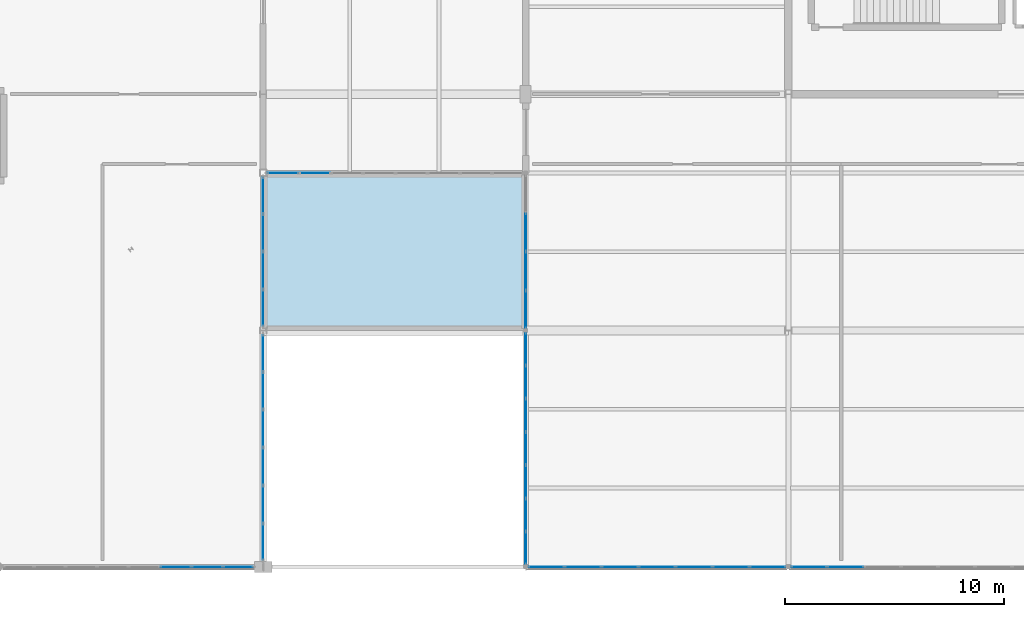
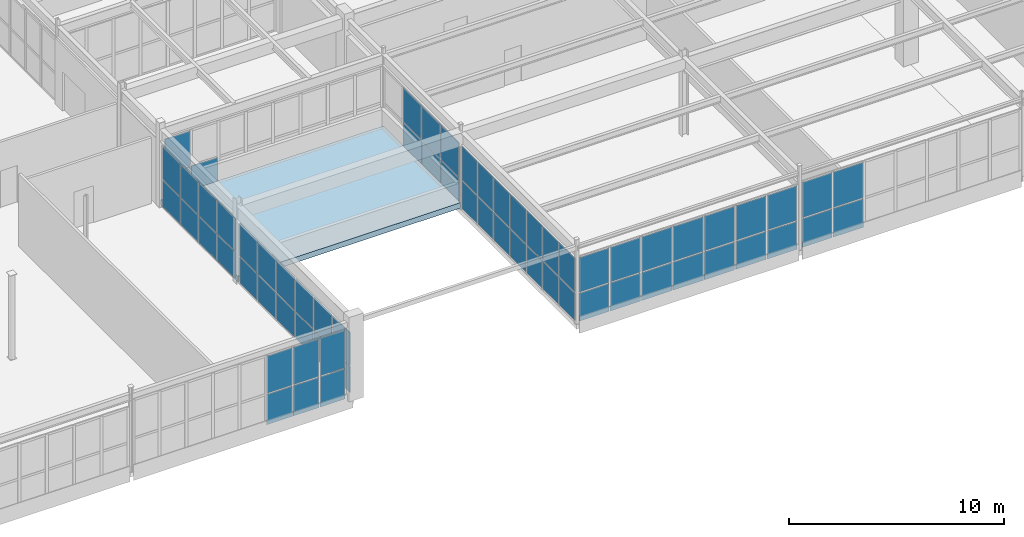
# One storey, part 143 of 226: 67 plates, 1 slab, 8 elements without a shape of their own.
"""IFC4 building model written with IfcOpenShell, lengths in metres."""

from ifc_helpers import new_model, si_unit, direction, frame, origin, origin_2d, place, context, subcontext, project, spatial, polyline, rectangle, outline, extrude, material, layer, layer_set, type_object, element, aggregate, save


model = new_model("IFC4")

# Units and contexts
model_context = context("Model", 3, precision=1e-05, world=origin(), true_north=direction((0.0, 1.0)))
body_context = subcontext(model_context, "Body", "Model", "MODEL_VIEW")
ifc_project = project(units=[si_unit("LENGTHUNIT", "METRE"), si_unit("AREAUNIT", "SQUARE_METRE"), si_unit("VOLUMEUNIT", "CUBIC_METRE"), si_unit("PLANEANGLEUNIT", "RADIAN"), si_unit("MASSUNIT", "GRAM", prefix="KILO")], contexts=[model_context])

# Site, building, storey
site_placement = place(None, origin())
site = spatial("IfcSite", under=ifc_project, at=site_placement, CompositionType="ELEMENT")
building_placement = place(site_placement, origin())
building = spatial("IfcBuilding", under=site, at=building_placement, Name="Tarnwether General Hospital", CompositionType="ELEMENT")
storey_placement = place(building_placement, frame((0.0, 0.0, 4.800048828125)))
storey = spatial("IfcBuildingStorey", under=building, at=storey_placement, Name="L01", CompositionType="ELEMENT", Elevation=4.800048828125)

# Curtain wall, plates
ifc_material_1 = material(Name="Anodised aluminium", Category="aluminium")
ifc_layer_1 = layer(ifc_material_1, 0.159912109375)
ifc_layer_set_1 = layer_set([ifc_layer_1], Name="Anodised aluminium")
curtain_wall_type_1 = type_object("IfcCurtainWallType", Name="CW-13", PredefinedType="NOTDEFINED", material=ifc_layer_set_1)
curtain_wall_1_placement = place(storey_placement, origin())
curtain_wall_1 = element("IfcCurtainWall", 1, at=curtain_wall_1_placement, inside=storey, type_object=curtain_wall_type_1, Name="Curtain Wall CWG-L01-1316_0-0329", PredefinedType="NOTDEFINED")
ifc_material_2 = material(Name="Double glazed low-E glass", Category="glass")
ifc_layer_2 = layer(ifc_material_2, 0.028076171875)
ifc_layer_set_2 = layer_set([ifc_layer_2], Name="Double glazed low-E glass")
plate_type = type_object("IfcPlateType", Name="PT-CWP1", PredefinedType="CURTAIN_PANEL", material=ifc_layer_set_2)
plate_1_placement = place(storey_placement, frame((130.859130859375, 0.0, 0.059814453125), z_axis=(0.0, 0.0, 1.0), x_axis=(-1.0, 0.0, 0.0)))
plate_1 = element("IfcPlate", 2, at=plate_1_placement, type_object=plate_type, Name="CW-13 panel 1.1", PredefinedType="CURTAIN_PANEL", context=body_context, shape_type="SweptSolid", body=[
    extrude(rectangle(XDim=1.345947265625, YDim=0.028076171875, at=origin_2d()), origin(), (0.0, 0.0, 1.0), 1.72216796875),
])
plate_2_placement = place(storey_placement, frame((130.859130859375, 0.0, 1.842041015625), z_axis=(0.0, 0.0, 1.0), x_axis=(-1.0, 0.0, 0.0)))
plate_2 = element("IfcPlate", 3, at=plate_2_placement, type_object=plate_type, Name="CW-13 panel 1.2", PredefinedType="CURTAIN_PANEL", context=body_context, shape_type="SweptSolid", body=[
    extrude(rectangle(XDim=1.345947265625, YDim=0.028076171875, at=origin_2d()), origin(), (0.0, 0.0, 1.0), 2.125),
])
plate_3_placement = place(storey_placement, frame((129.438232421875, 0.0, 0.059814453125), z_axis=(0.0, 0.0, 1.0), x_axis=(-1.0, 0.0, 0.0)))
plate_3 = element("IfcPlate", 4, at=plate_3_placement, type_object=plate_type, Name="CW-13 panel 2.1", PredefinedType="CURTAIN_PANEL", context=body_context, shape_type="SweptSolid", body=[
    extrude(rectangle(XDim=1.3759765625, YDim=0.028076171875, at=origin_2d()), origin(), (0.0, 0.0, 1.0), 1.72216796875),
])
plate_4_placement = place(storey_placement, frame((129.438232421875, 0.0, 1.842041015625), z_axis=(0.0, 0.0, 1.0), x_axis=(-1.0, 0.0, 0.0)))
plate_4 = element("IfcPlate", 5, at=plate_4_placement, type_object=plate_type, Name="CW-13 panel 2.2", PredefinedType="CURTAIN_PANEL", context=body_context, shape_type="SweptSolid", body=[
    extrude(rectangle(XDim=1.3759765625, YDim=0.028076171875, at=origin_2d()), origin(), (0.0, 0.0, 1.0), 2.125),
])
plate_5_placement = place(storey_placement, frame((128.002197265625, 0.0, 0.059814453125), z_axis=(0.0, 0.0, 1.0), x_axis=(-1.0, 0.0, 0.0)))
plate_5 = element("IfcPlate", 6, at=plate_5_placement, type_object=plate_type, Name="CW-13 panel 3.1", PredefinedType="CURTAIN_PANEL", context=body_context, shape_type="SweptSolid", body=[
    extrude(rectangle(XDim=1.3759765625, YDim=0.028076171875, at=origin_2d()), origin(), (0.0, 0.0, 1.0), 1.72216796875),
])
plate_6_placement = place(storey_placement, frame((128.002197265625, 0.0, 1.842041015625), z_axis=(0.0, 0.0, 1.0), x_axis=(-1.0, 0.0, 0.0)))
plate_6 = element("IfcPlate", 7, at=plate_6_placement, type_object=plate_type, Name="CW-13 panel 3.2", PredefinedType="CURTAIN_PANEL", context=body_context, shape_type="SweptSolid", body=[
    extrude(rectangle(XDim=1.3759765625, YDim=0.028076171875, at=origin_2d()), origin(), (0.0, 0.0, 1.0), 2.125),
])
aggregate(curtain_wall_1, [plate_1, plate_2, plate_3, plate_4, plate_5, plate_6])

ifc_material_3 = material(Name="Anodised aluminium", Category="aluminium")
ifc_layer_3 = layer(ifc_material_3, 0.159912109375)
ifc_layer_set_3 = layer_set([ifc_layer_3], Name="Anodised aluminium")
curtain_wall_type_2 = type_object("IfcCurtainWallType", Name="CW-15", PredefinedType="NOTDEFINED", material=ifc_layer_set_3)
curtain_wall_2_placement = place(storey_placement, origin())
curtain_wall_2 = element("IfcCurtainWall", 8, at=curtain_wall_2_placement, inside=storey, type_object=curtain_wall_type_2, Name="Curtain Wall CWG-L01-1320_178-0361", PredefinedType="NOTDEFINED")
plate_7_placement = place(storey_placement, frame((132.0, 16.967041015625, 0.059814453125), z_axis=(0.0, 0.0, 1.0), x_axis=(0.0, -1.0, 0.0)))
plate_7 = element("IfcPlate", 9, at=plate_7_placement, type_object=plate_type, Name="CW-15 panel 1.1", PredefinedType="CURTAIN_PANEL", context=body_context, shape_type="SweptSolid", body=[
    extrude(rectangle(XDim=1.6298828125, YDim=0.028076171875, at=origin_2d()), origin(), (0.0, 0.0, 1.0), 1.49853515625),
])
plate_8_placement = place(storey_placement, frame((132.0, 16.967041015625, 1.618408203125), z_axis=(0.0, 0.0, 1.0), x_axis=(0.0, -1.0, 0.0)))
plate_8 = element("IfcPlate", 10, at=plate_8_placement, type_object=plate_type, Name="CW-15 panel 1.2", PredefinedType="CURTAIN_PANEL", context=body_context, shape_type="SweptSolid", body=[
    extrude(rectangle(XDim=1.6298828125, YDim=0.028076171875, at=origin_2d()), origin(), (0.0, 0.0, 1.0), 1.8515625),
])
plate_9_placement = place(storey_placement, frame((132.0, 15.261962890625, 0.059814453125), z_axis=(0.0, 0.0, 1.0), x_axis=(0.0, -1.0, 0.0)))
plate_9 = element("IfcPlate", 11, at=plate_9_placement, type_object=plate_type, Name="CW-15 panel 2.1", PredefinedType="CURTAIN_PANEL", context=body_context, shape_type="SweptSolid", body=[
    extrude(rectangle(XDim=1.659912109375, YDim=0.028076171875, at=origin_2d()), origin(), (0.0, 0.0, 1.0), 1.49853515625),
])
plate_10_placement = place(storey_placement, frame((132.0, 15.261962890625, 1.618408203125), z_axis=(0.0, 0.0, 1.0), x_axis=(0.0, -1.0, 0.0)))
plate_10 = element("IfcPlate", 12, at=plate_10_placement, type_object=plate_type, Name="CW-15 panel 2.2", PredefinedType="CURTAIN_PANEL", context=body_context, shape_type="SweptSolid", body=[
    extrude(rectangle(XDim=1.659912109375, YDim=0.028076171875, at=origin_2d()), origin(), (0.0, 0.0, 1.0), 1.8515625),
])
plate_11_placement = place(storey_placement, frame((132.0, 13.5419921875, 0.059814453125), z_axis=(0.0, 0.0, 1.0), x_axis=(0.0, -1.0, 0.0)))
plate_11 = element("IfcPlate", 13, at=plate_11_placement, type_object=plate_type, Name="CW-15 panel 3.1", PredefinedType="CURTAIN_PANEL", context=body_context, shape_type="SweptSolid", body=[
    extrude(rectangle(XDim=1.659912109375, YDim=0.028076171875, at=origin_2d()), origin(), (0.0, 0.0, 1.0), 1.49853515625),
])
plate_12_placement = place(storey_placement, frame((132.0, 13.5419921875, 1.618408203125), z_axis=(0.0, 0.0, 1.0), x_axis=(0.0, -1.0, 0.0)))
plate_12 = element("IfcPlate", 14, at=plate_12_placement, type_object=plate_type, Name="CW-15 panel 3.2", PredefinedType="CURTAIN_PANEL", context=body_context, shape_type="SweptSolid", body=[
    extrude(rectangle(XDim=1.659912109375, YDim=0.028076171875, at=origin_2d()), origin(), (0.0, 0.0, 1.0), 1.8515625),
])
plate_13_placement = place(storey_placement, frame((132.0, 11.8369140625, 0.059814453125), z_axis=(0.0, 0.0, 1.0), x_axis=(0.0, -1.0, 0.0)))
plate_13 = element("IfcPlate", 15, at=plate_13_placement, type_object=plate_type, Name="CW-15 panel 4.1", PredefinedType="CURTAIN_PANEL", context=body_context, shape_type="SweptSolid", body=[
    extrude(rectangle(XDim=1.6298828125, YDim=0.028076171875, at=origin_2d()), origin(), (0.0, 0.0, 1.0), 1.49853515625),
])
plate_14_placement = place(storey_placement, frame((132.0, 11.8369140625, 1.618408203125), z_axis=(0.0, 0.0, 1.0), x_axis=(0.0, -1.0, 0.0)))
plate_14 = element("IfcPlate", 16, at=plate_14_placement, type_object=plate_type, Name="CW-15 panel 4.2", PredefinedType="CURTAIN_PANEL", context=body_context, shape_type="SweptSolid", body=[
    extrude(rectangle(XDim=1.6298828125, YDim=0.028076171875, at=origin_2d()), origin(), (0.0, 0.0, 1.0), 1.8515625),
])
aggregate(curtain_wall_2, [plate_7, plate_8, plate_9, plate_10, plate_11, plate_12, plate_13, plate_14])

curtain_wall_3_placement = place(storey_placement, origin())
curtain_wall_3 = element("IfcCurtainWall", 17, at=curtain_wall_3_placement, inside=storey, type_object=curtain_wall_type_2, Name="Curtain Wall CWG-L01-1320_106-0362", PredefinedType="NOTDEFINED")
plate_15_placement = place(storey_placement, frame((132.0, 9.759033203125, 0.059814453125), z_axis=(0.0, 0.0, 1.0), x_axis=(0.0, -1.0, 0.0)))
plate_15 = element("IfcPlate", 18, at=plate_15_placement, type_object=plate_type, Name="CW-15 panel 1.1", PredefinedType="CURTAIN_PANEL", context=body_context, shape_type="SweptSolid", body=[
    extrude(rectangle(XDim=1.64013671875, YDim=0.028076171875, at=origin_2d()), origin(), (0.0, 0.0, 1.0), 1.49853515625),
])
plate_16_placement = place(storey_placement, frame((132.0, 9.759033203125, 1.618408203125), z_axis=(0.0, 0.0, 1.0), x_axis=(0.0, -1.0, 0.0)))
plate_16 = element("IfcPlate", 19, at=plate_16_placement, type_object=plate_type, Name="CW-15 panel 1.2", PredefinedType="CURTAIN_PANEL", context=body_context, shape_type="SweptSolid", body=[
    extrude(rectangle(XDim=1.64013671875, YDim=0.028076171875, at=origin_2d()), origin(), (0.0, 0.0, 1.0), 1.8515625),
])
plate_17_placement = place(storey_placement, frame((132.0, 8.043701171875, 0.059814453125), z_axis=(0.0, 0.0, 1.0), x_axis=(0.0, -1.0, 0.0)))
plate_17 = element("IfcPlate", 20, at=plate_17_placement, type_object=plate_type, Name="CW-15 panel 2.1", PredefinedType="CURTAIN_PANEL", context=body_context, shape_type="SweptSolid", body=[
    extrude(rectangle(XDim=1.670166015625, YDim=0.028076171875, at=origin_2d()), origin(), (0.0, 0.0, 1.0), 1.49853515625),
])
plate_18_placement = place(storey_placement, frame((132.0, 8.043701171875, 1.618408203125), z_axis=(0.0, 0.0, 1.0), x_axis=(0.0, -1.0, 0.0)))
plate_18 = element("IfcPlate", 21, at=plate_18_placement, type_object=plate_type, Name="CW-15 panel 2.2", PredefinedType="CURTAIN_PANEL", context=body_context, shape_type="SweptSolid", body=[
    extrude(rectangle(XDim=1.670166015625, YDim=0.028076171875, at=origin_2d()), origin(), (0.0, 0.0, 1.0), 1.8515625),
])
plate_19_placement = place(storey_placement, frame((132.0, 6.3134765625, 0.059814453125), z_axis=(0.0, 0.0, 1.0), x_axis=(0.0, -1.0, 0.0)))
plate_19 = element("IfcPlate", 22, at=plate_19_placement, type_object=plate_type, Name="CW-15 panel 3.1", PredefinedType="CURTAIN_PANEL", context=body_context, shape_type="SweptSolid", body=[
    extrude(rectangle(XDim=1.670166015625, YDim=0.028076171875, at=origin_2d()), origin(), (0.0, 0.0, 1.0), 1.49853515625),
])
plate_20_placement = place(storey_placement, frame((132.0, 6.3134765625, 1.618408203125), z_axis=(0.0, 0.0, 1.0), x_axis=(0.0, -1.0, 0.0)))
plate_20 = element("IfcPlate", 23, at=plate_20_placement, type_object=plate_type, Name="CW-15 panel 3.2", PredefinedType="CURTAIN_PANEL", context=body_context, shape_type="SweptSolid", body=[
    extrude(rectangle(XDim=1.670166015625, YDim=0.028076171875, at=origin_2d()), origin(), (0.0, 0.0, 1.0), 1.8515625),
])
plate_21_placement = place(storey_placement, frame((132.0, 4.58349609375, 0.059814453125), z_axis=(0.0, 0.0, 1.0), x_axis=(0.0, -1.0, 0.0)))
plate_21 = element("IfcPlate", 24, at=plate_21_placement, type_object=plate_type, Name="CW-15 panel 4.1", PredefinedType="CURTAIN_PANEL", context=body_context, shape_type="SweptSolid", body=[
    extrude(rectangle(XDim=1.670166015625, YDim=0.028076171875, at=origin_2d()), origin(), (0.0, 0.0, 1.0), 1.49853515625),
])
plate_22_placement = place(storey_placement, frame((132.0, 4.58349609375, 1.618408203125), z_axis=(0.0, 0.0, 1.0), x_axis=(0.0, -1.0, 0.0)))
plate_22 = element("IfcPlate", 25, at=plate_22_placement, type_object=plate_type, Name="CW-15 panel 4.2", PredefinedType="CURTAIN_PANEL", context=body_context, shape_type="SweptSolid", body=[
    extrude(rectangle(XDim=1.670166015625, YDim=0.028076171875, at=origin_2d()), origin(), (0.0, 0.0, 1.0), 1.8515625),
])
plate_23_placement = place(storey_placement, frame((132.0, 2.853271484375, 0.059814453125), z_axis=(0.0, 0.0, 1.0), x_axis=(0.0, -1.0, 0.0)))
plate_23 = element("IfcPlate", 26, at=plate_23_placement, type_object=plate_type, Name="CW-15 panel 5.1", PredefinedType="CURTAIN_PANEL", context=body_context, shape_type="SweptSolid", body=[
    extrude(rectangle(XDim=1.670166015625, YDim=0.028076171875, at=origin_2d()), origin(), (0.0, 0.0, 1.0), 1.49853515625),
])
plate_24_placement = place(storey_placement, frame((132.0, 2.853271484375, 1.618408203125), z_axis=(0.0, 0.0, 1.0), x_axis=(0.0, -1.0, 0.0)))
plate_24 = element("IfcPlate", 27, at=plate_24_placement, type_object=plate_type, Name="CW-15 panel 5.2", PredefinedType="CURTAIN_PANEL", context=body_context, shape_type="SweptSolid", body=[
    extrude(rectangle(XDim=1.670166015625, YDim=0.028076171875, at=origin_2d()), origin(), (0.0, 0.0, 1.0), 1.8515625),
])
plate_25_placement = place(storey_placement, frame((132.0, 1.13818359375, 0.059814453125), z_axis=(0.0, 0.0, 1.0), x_axis=(0.0, -1.0, 0.0)))
plate_25 = element("IfcPlate", 28, at=plate_25_placement, type_object=plate_type, Name="CW-15 panel 6.1", PredefinedType="CURTAIN_PANEL", context=body_context, shape_type="SweptSolid", body=[
    extrude(rectangle(XDim=1.64013671875, YDim=0.028076171875, at=origin_2d()), origin(), (0.0, 0.0, 1.0), 1.49853515625),
])
plate_26_placement = place(storey_placement, frame((132.0, 1.13818359375, 1.618408203125), z_axis=(0.0, 0.0, 1.0), x_axis=(0.0, -1.0, 0.0)))
plate_26 = element("IfcPlate", 29, at=plate_26_placement, type_object=plate_type, Name="CW-15 panel 6.2", PredefinedType="CURTAIN_PANEL", context=body_context, shape_type="SweptSolid", body=[
    extrude(rectangle(XDim=1.64013671875, YDim=0.028076171875, at=origin_2d()), origin(), (0.0, 0.0, 1.0), 1.8515625),
])
aggregate(curtain_wall_3, [plate_15, plate_16, plate_17, plate_18, plate_19, plate_20, plate_21, plate_22, plate_23, plate_24, plate_25, plate_26])

curtain_wall_4_placement = place(storey_placement, origin())
curtain_wall_4 = element("IfcCurtainWall", 30, at=curtain_wall_4_placement, inside=storey, type_object=curtain_wall_type_2, Name="Curtain Wall CWG-L01-1440_1-0363", PredefinedType="NOTDEFINED")
plate_27_placement = place(storey_placement, frame((144.0, 0.8583984375, 0.06005859375), z_axis=(0.0, 0.0, 1.0), x_axis=(0.0, 1.0, 0.0)))
plate_27 = element("IfcPlate", 31, at=plate_27_placement, type_object=plate_type, Name="CW-15 panel 1.1", PredefinedType="CURTAIN_PANEL", context=body_context, shape_type="SweptSolid", body=[
    extrude(rectangle(XDim=1.430908203125, YDim=0.028076171875, at=origin_2d()), origin(), (0.0, 0.0, 1.0), 1.56591796875),
])
plate_28_placement = place(storey_placement, frame((144.0, 0.8583984375, 1.685791015625), z_axis=(0.0, 0.0, 1.0), x_axis=(0.0, 1.0, 0.0)))
plate_28 = element("IfcPlate", 32, at=plate_28_placement, type_object=plate_type, Name="CW-15 panel 1.2", PredefinedType="CURTAIN_PANEL", context=body_context, shape_type="SweptSolid", body=[
    extrude(rectangle(XDim=1.430908203125, YDim=0.028076171875, at=origin_2d()), origin(), (0.0, 0.0, 1.0), 1.93408203125),
])
plate_29_placement = place(storey_placement, frame((144.0, 2.364501953125, 0.06005859375), z_axis=(0.0, 0.0, 1.0), x_axis=(0.0, 1.0, 0.0)))
plate_29 = element("IfcPlate", 33, at=plate_29_placement, type_object=plate_type, Name="CW-15 panel 2.1", PredefinedType="CURTAIN_PANEL", context=body_context, shape_type="SweptSolid", body=[
    extrude(rectangle(XDim=1.4609375, YDim=0.028076171875, at=origin_2d()), origin(), (0.0, 0.0, 1.0), 1.56591796875),
])
plate_30_placement = place(storey_placement, frame((144.0, 2.364501953125, 1.685791015625), z_axis=(0.0, 0.0, 1.0), x_axis=(0.0, 1.0, 0.0)))
plate_30 = element("IfcPlate", 34, at=plate_30_placement, type_object=plate_type, Name="CW-15 panel 2.2", PredefinedType="CURTAIN_PANEL", context=body_context, shape_type="SweptSolid", body=[
    extrude(rectangle(XDim=1.4609375, YDim=0.028076171875, at=origin_2d()), origin(), (0.0, 0.0, 1.0), 1.93408203125),
])
plate_31_placement = place(storey_placement, frame((144.0, 3.885498046875, 0.06005859375), z_axis=(0.0, 0.0, 1.0), x_axis=(0.0, 1.0, 0.0)))
plate_31 = element("IfcPlate", 35, at=plate_31_placement, type_object=plate_type, Name="CW-15 panel 3.1", PredefinedType="CURTAIN_PANEL", context=body_context, shape_type="SweptSolid", body=[
    extrude(rectangle(XDim=1.4609375, YDim=0.028076171875, at=origin_2d()), origin(), (0.0, 0.0, 1.0), 1.56591796875),
])
plate_32_placement = place(storey_placement, frame((144.0, 3.885498046875, 1.685791015625), z_axis=(0.0, 0.0, 1.0), x_axis=(0.0, 1.0, 0.0)))
plate_32 = element("IfcPlate", 36, at=plate_32_placement, type_object=plate_type, Name="CW-15 panel 3.2", PredefinedType="CURTAIN_PANEL", context=body_context, shape_type="SweptSolid", body=[
    extrude(rectangle(XDim=1.4609375, YDim=0.028076171875, at=origin_2d()), origin(), (0.0, 0.0, 1.0), 1.93408203125),
])
plate_33_placement = place(storey_placement, frame((144.0, 5.406494140625, 0.06005859375), z_axis=(0.0, 0.0, 1.0), x_axis=(0.0, 1.0, 0.0)))
plate_33 = element("IfcPlate", 37, at=plate_33_placement, type_object=plate_type, Name="CW-15 panel 4.1", PredefinedType="CURTAIN_PANEL", context=body_context, shape_type="SweptSolid", body=[
    extrude(rectangle(XDim=1.4609375, YDim=0.028076171875, at=origin_2d()), origin(), (0.0, 0.0, 1.0), 1.56591796875),
])
plate_34_placement = place(storey_placement, frame((144.0, 5.406494140625, 1.685791015625), z_axis=(0.0, 0.0, 1.0), x_axis=(0.0, 1.0, 0.0)))
plate_34 = element("IfcPlate", 38, at=plate_34_placement, type_object=plate_type, Name="CW-15 panel 4.2", PredefinedType="CURTAIN_PANEL", context=body_context, shape_type="SweptSolid", body=[
    extrude(rectangle(XDim=1.4609375, YDim=0.028076171875, at=origin_2d()), origin(), (0.0, 0.0, 1.0), 1.93408203125),
])
plate_35_placement = place(storey_placement, frame((144.0, 6.927490234375, 0.06005859375), z_axis=(0.0, 0.0, 1.0), x_axis=(0.0, 1.0, 0.0)))
plate_35 = element("IfcPlate", 39, at=plate_35_placement, type_object=plate_type, Name="CW-15 panel 5.1", PredefinedType="CURTAIN_PANEL", context=body_context, shape_type="SweptSolid", body=[
    extrude(rectangle(XDim=1.4609375, YDim=0.028076171875, at=origin_2d()), origin(), (0.0, 0.0, 1.0), 1.56591796875),
])
plate_36_placement = place(storey_placement, frame((144.0, 6.927490234375, 1.685791015625), z_axis=(0.0, 0.0, 1.0), x_axis=(0.0, 1.0, 0.0)))
plate_36 = element("IfcPlate", 40, at=plate_36_placement, type_object=plate_type, Name="CW-15 panel 5.2", PredefinedType="CURTAIN_PANEL", context=body_context, shape_type="SweptSolid", body=[
    extrude(rectangle(XDim=1.4609375, YDim=0.028076171875, at=origin_2d()), origin(), (0.0, 0.0, 1.0), 1.93408203125),
])
plate_37_placement = place(storey_placement, frame((144.0, 8.448486328125, 0.06005859375), z_axis=(0.0, 0.0, 1.0), x_axis=(0.0, 1.0, 0.0)))
plate_37 = element("IfcPlate", 41, at=plate_37_placement, type_object=plate_type, Name="CW-15 panel 6.1", PredefinedType="CURTAIN_PANEL", context=body_context, shape_type="SweptSolid", body=[
    extrude(rectangle(XDim=1.4609375, YDim=0.028076171875, at=origin_2d()), origin(), (0.0, 0.0, 1.0), 1.56591796875),
])
plate_38_placement = place(storey_placement, frame((144.0, 8.448486328125, 1.685791015625), z_axis=(0.0, 0.0, 1.0), x_axis=(0.0, 1.0, 0.0)))
plate_38 = element("IfcPlate", 42, at=plate_38_placement, type_object=plate_type, Name="CW-15 panel 6.2", PredefinedType="CURTAIN_PANEL", context=body_context, shape_type="SweptSolid", body=[
    extrude(rectangle(XDim=1.4609375, YDim=0.028076171875, at=origin_2d()), origin(), (0.0, 0.0, 1.0), 1.93408203125),
])
plate_39_placement = place(storey_placement, frame((144.0, 9.95458984375, 0.06005859375), z_axis=(0.0, 0.0, 1.0), x_axis=(0.0, 1.0, 0.0)))
plate_39 = element("IfcPlate", 43, at=plate_39_placement, type_object=plate_type, Name="CW-15 panel 7.1", PredefinedType="CURTAIN_PANEL", context=body_context, shape_type="SweptSolid", body=[
    extrude(rectangle(XDim=1.430908203125, YDim=0.028076171875, at=origin_2d()), origin(), (0.0, 0.0, 1.0), 1.56591796875),
])
plate_40_placement = place(storey_placement, frame((144.0, 9.95458984375, 1.685791015625), z_axis=(0.0, 0.0, 1.0), x_axis=(0.0, 1.0, 0.0)))
plate_40 = element("IfcPlate", 44, at=plate_40_placement, type_object=plate_type, Name="CW-15 panel 7.2", PredefinedType="CURTAIN_PANEL", context=body_context, shape_type="SweptSolid", body=[
    extrude(rectangle(XDim=1.430908203125, YDim=0.028076171875, at=origin_2d()), origin(), (0.0, 0.0, 1.0), 1.93408203125),
])
aggregate(curtain_wall_4, [plate_27, plate_28, plate_29, plate_30, plate_31, plate_32, plate_33, plate_34, plate_35, plate_36, plate_37, plate_38, plate_39, plate_40])

curtain_wall_5_placement = place(storey_placement, origin())
curtain_wall_5 = element("IfcCurtainWall", 45, at=curtain_wall_5_placement, inside=storey, type_object=curtain_wall_type_2, Name="Curtain Wall CWG-L01-1440_109-0364", PredefinedType="NOTDEFINED")
plate_41_placement = place(storey_placement, frame((144.0, 11.767578125, 0.06005859375), z_axis=(0.0, 0.0, 1.0), x_axis=(0.0, 1.0, 0.0)))
plate_41 = element("IfcPlate", 46, at=plate_41_placement, type_object=plate_type, Name="CW-15 panel 1.1", PredefinedType="CURTAIN_PANEL", context=body_context, shape_type="SweptSolid", body=[
    extrude(rectangle(XDim=1.675048828125, YDim=0.028076171875, at=origin_2d()), origin(), (0.0, 0.0, 1.0), 1.56591796875),
])
plate_42_placement = place(storey_placement, frame((144.0, 11.767578125, 1.685791015625), z_axis=(0.0, 0.0, 1.0), x_axis=(0.0, 1.0, 0.0)))
plate_42 = element("IfcPlate", 47, at=plate_42_placement, type_object=plate_type, Name="CW-15 panel 1.2", PredefinedType="CURTAIN_PANEL", context=body_context, shape_type="SweptSolid", body=[
    extrude(rectangle(XDim=1.675048828125, YDim=0.028076171875, at=origin_2d()), origin(), (0.0, 0.0, 1.0), 1.93408203125),
])
plate_43_placement = place(storey_placement, frame((144.0, 13.517578125, 0.06005859375), z_axis=(0.0, 0.0, 1.0), x_axis=(0.0, 1.0, 0.0)))
plate_43 = element("IfcPlate", 48, at=plate_43_placement, type_object=plate_type, Name="CW-15 panel 2.1", PredefinedType="CURTAIN_PANEL", context=body_context, shape_type="SweptSolid", body=[
    extrude(rectangle(XDim=1.705078125, YDim=0.028076171875, at=origin_2d()), origin(), (0.0, 0.0, 1.0), 1.56591796875),
])
plate_44_placement = place(storey_placement, frame((144.0, 13.517578125, 1.685791015625), z_axis=(0.0, 0.0, 1.0), x_axis=(0.0, 1.0, 0.0)))
plate_44 = element("IfcPlate", 49, at=plate_44_placement, type_object=plate_type, Name="CW-15 panel 2.2", PredefinedType="CURTAIN_PANEL", context=body_context, shape_type="SweptSolid", body=[
    extrude(rectangle(XDim=1.705078125, YDim=0.028076171875, at=origin_2d()), origin(), (0.0, 0.0, 1.0), 1.93408203125),
])
plate_45_placement = place(storey_placement, frame((144.0, 15.282470703125, 0.06005859375), z_axis=(0.0, 0.0, 1.0), x_axis=(0.0, 1.0, 0.0)))
plate_45 = element("IfcPlate", 50, at=plate_45_placement, type_object=plate_type, Name="CW-15 panel 3.1", PredefinedType="CURTAIN_PANEL", context=body_context, shape_type="SweptSolid", body=[
    extrude(rectangle(XDim=1.705078125, YDim=0.028076171875, at=origin_2d()), origin(), (0.0, 0.0, 1.0), 1.56591796875),
])
plate_46_placement = place(storey_placement, frame((144.0, 15.282470703125, 1.685791015625), z_axis=(0.0, 0.0, 1.0), x_axis=(0.0, 1.0, 0.0)))
plate_46 = element("IfcPlate", 51, at=plate_46_placement, type_object=plate_type, Name="CW-15 panel 3.2", PredefinedType="CURTAIN_PANEL", context=body_context, shape_type="SweptSolid", body=[
    extrude(rectangle(XDim=1.705078125, YDim=0.028076171875, at=origin_2d()), origin(), (0.0, 0.0, 1.0), 1.93408203125),
])
aggregate(curtain_wall_5, [plate_41, plate_42, plate_43, plate_44, plate_45, plate_46])

ifc_material_4 = material(Name="Anodised aluminium", Category="aluminium")
ifc_layer_4 = layer(ifc_material_4, 0.159912109375)
ifc_layer_set_4 = layer_set([ifc_layer_4], Name="Anodised aluminium")
curtain_wall_type_3 = type_object("IfcCurtainWallType", Name="CW-19", PredefinedType="NOTDEFINED", material=ifc_layer_set_4)
curtain_wall_6_placement = place(storey_placement, origin())
curtain_wall_6 = element("IfcCurtainWall", 52, at=curtain_wall_6_placement, inside=storey, type_object=curtain_wall_type_3, Name="Curtain Wall CWG-L01-1679_0-0385", PredefinedType="NOTDEFINED")
plate_47_placement = place(storey_placement, frame((158.61865234375, 0.0, 0.06005859375), z_axis=(0.0, 0.0, 1.0), x_axis=(-1.0, 0.0, 0.0)))
plate_47 = element("IfcPlate", 53, at=plate_47_placement, type_object=plate_type, Name="CW-19 panel 6.1", PredefinedType="CURTAIN_PANEL", context=body_context, shape_type="SweptSolid", body=[
    extrude(rectangle(XDim=1.63037109375, YDim=0.028076171875, at=origin_2d()), origin(), (0.0, 0.0, 1.0), 1.628173828125),
])
plate_48_placement = place(storey_placement, frame((158.61865234375, 0.0, 1.748046875), z_axis=(0.0, 0.0, 1.0), x_axis=(-1.0, 0.0, 0.0)))
plate_48 = element("IfcPlate", 54, at=plate_48_placement, type_object=plate_type, Name="CW-19 panel 6.2", PredefinedType="CURTAIN_PANEL", context=body_context, shape_type="SweptSolid", body=[
    extrude(rectangle(XDim=1.63037109375, YDim=0.028076171875, at=origin_2d()), origin(), (0.0, 0.0, 1.0), 2.010009765625),
])
plate_49_placement = place(storey_placement, frame((156.943115234375, 0.0, 0.06005859375), z_axis=(0.0, 0.0, 1.0), x_axis=(-1.0, 0.0, 0.0)))
plate_49 = element("IfcPlate", 55, at=plate_49_placement, type_object=plate_type, Name="CW-19 panel 7.1", PredefinedType="CURTAIN_PANEL", context=body_context, shape_type="SweptSolid", body=[
    extrude(rectangle(XDim=1.600341796875, YDim=0.028076171875, at=origin_2d()), origin(), (0.0, 0.0, 1.0), 1.628173828125),
])
plate_50_placement = place(storey_placement, frame((156.943115234375, 0.0, 1.748046875), z_axis=(0.0, 0.0, 1.0), x_axis=(-1.0, 0.0, 0.0)))
plate_50 = element("IfcPlate", 56, at=plate_50_placement, type_object=plate_type, Name="CW-19 panel 7.2", PredefinedType="CURTAIN_PANEL", context=body_context, shape_type="SweptSolid", body=[
    extrude(rectangle(XDim=1.600341796875, YDim=0.028076171875, at=origin_2d()), origin(), (0.0, 0.0, 1.0), 2.010009765625),
])
aggregate(curtain_wall_6, [plate_47, plate_48, plate_49, plate_50])

curtain_wall_7_placement = place(storey_placement, origin())
curtain_wall_7 = element("IfcCurtainWall", 57, at=curtain_wall_7_placement, inside=storey, type_object=curtain_wall_type_3, Name="Curtain Wall CWG-L01-1559_0-0386", PredefinedType="NOTDEFINED")
plate_51_placement = place(storey_placement, frame((155.056640625, 0.0, 0.06005859375), z_axis=(0.0, 0.0, 1.0), x_axis=(-1.0, 0.0, 0.0)))
plate_51 = element("IfcPlate", 58, at=plate_51_placement, type_object=plate_type, Name="CW-19 panel 1.1", PredefinedType="CURTAIN_PANEL", context=body_context, shape_type="SweptSolid", body=[
    extrude(rectangle(XDim=1.6005859375, YDim=0.028076171875, at=origin_2d()), origin(), (0.0, 0.0, 1.0), 1.592041015625),
])
plate_52_placement = place(storey_placement, frame((155.056640625, 0.0, 1.712158203125), z_axis=(0.0, 0.0, 1.0), x_axis=(-1.0, 0.0, 0.0)))
plate_52 = element("IfcPlate", 59, at=plate_52_placement, type_object=plate_type, Name="CW-19 panel 1.2", PredefinedType="CURTAIN_PANEL", context=body_context, shape_type="SweptSolid", body=[
    extrude(rectangle(XDim=1.6005859375, YDim=0.028076171875, at=origin_2d()), origin(), (0.0, 0.0, 1.0), 1.9658203125),
])
plate_53_placement = place(storey_placement, frame((153.381103515625, 0.0, 0.06005859375), z_axis=(0.0, 0.0, 1.0), x_axis=(-1.0, 0.0, 0.0)))
plate_53 = element("IfcPlate", 60, at=plate_53_placement, type_object=plate_type, Name="CW-19 panel 2.1", PredefinedType="CURTAIN_PANEL", context=body_context, shape_type="SweptSolid", body=[
    extrude(rectangle(XDim=1.630615234375, YDim=0.028076171875, at=origin_2d()), origin(), (0.0, 0.0, 1.0), 1.592041015625),
])
plate_54_placement = place(storey_placement, frame((153.381103515625, 0.0, 1.712158203125), z_axis=(0.0, 0.0, 1.0), x_axis=(-1.0, 0.0, 0.0)))
plate_54 = element("IfcPlate", 61, at=plate_54_placement, type_object=plate_type, Name="CW-19 panel 2.2", PredefinedType="CURTAIN_PANEL", context=body_context, shape_type="SweptSolid", body=[
    extrude(rectangle(XDim=1.630615234375, YDim=0.028076171875, at=origin_2d()), origin(), (0.0, 0.0, 1.0), 1.9658203125),
])
plate_55_placement = place(storey_placement, frame((151.690673828125, 0.0, 0.06005859375), z_axis=(0.0, 0.0, 1.0), x_axis=(-1.0, 0.0, 0.0)))
plate_55 = element("IfcPlate", 62, at=plate_55_placement, type_object=plate_type, Name="CW-19 panel 3.1", PredefinedType="CURTAIN_PANEL", context=body_context, shape_type="SweptSolid", body=[
    extrude(rectangle(XDim=1.630615234375, YDim=0.028076171875, at=origin_2d()), origin(), (0.0, 0.0, 1.0), 1.592041015625),
])
plate_56_placement = place(storey_placement, frame((151.690673828125, 0.0, 1.712158203125), z_axis=(0.0, 0.0, 1.0), x_axis=(-1.0, 0.0, 0.0)))
plate_56 = element("IfcPlate", 63, at=plate_56_placement, type_object=plate_type, Name="CW-19 panel 3.2", PredefinedType="CURTAIN_PANEL", context=body_context, shape_type="SweptSolid", body=[
    extrude(rectangle(XDim=1.630615234375, YDim=0.028076171875, at=origin_2d()), origin(), (0.0, 0.0, 1.0), 1.9658203125),
])
plate_57_placement = place(storey_placement, frame((150.0, 0.0, 0.06005859375), z_axis=(0.0, 0.0, 1.0), x_axis=(-1.0, 0.0, 0.0)))
plate_57 = element("IfcPlate", 64, at=plate_57_placement, type_object=plate_type, Name="CW-19 panel 4.1", PredefinedType="CURTAIN_PANEL", context=body_context, shape_type="SweptSolid", body=[
    extrude(rectangle(XDim=1.630615234375, YDim=0.028076171875, at=origin_2d()), origin(), (0.0, 0.0, 1.0), 1.592041015625),
])
plate_58_placement = place(storey_placement, frame((150.0, 0.0, 1.712158203125), z_axis=(0.0, 0.0, 1.0), x_axis=(-1.0, 0.0, 0.0)))
plate_58 = element("IfcPlate", 65, at=plate_58_placement, type_object=plate_type, Name="CW-19 panel 4.2", PredefinedType="CURTAIN_PANEL", context=body_context, shape_type="SweptSolid", body=[
    extrude(rectangle(XDim=1.630615234375, YDim=0.028076171875, at=origin_2d()), origin(), (0.0, 0.0, 1.0), 1.9658203125),
])
plate_59_placement = place(storey_placement, frame((148.309326171875, 0.0, 0.06005859375), z_axis=(0.0, 0.0, 1.0), x_axis=(-1.0, 0.0, 0.0)))
plate_59 = element("IfcPlate", 66, at=plate_59_placement, type_object=plate_type, Name="CW-19 panel 5.1", PredefinedType="CURTAIN_PANEL", context=body_context, shape_type="SweptSolid", body=[
    extrude(rectangle(XDim=1.630615234375, YDim=0.028076171875, at=origin_2d()), origin(), (0.0, 0.0, 1.0), 1.592041015625),
])
plate_60_placement = place(storey_placement, frame((148.309326171875, 0.0, 1.712158203125), z_axis=(0.0, 0.0, 1.0), x_axis=(-1.0, 0.0, 0.0)))
plate_60 = element("IfcPlate", 67, at=plate_60_placement, type_object=plate_type, Name="CW-19 panel 5.2", PredefinedType="CURTAIN_PANEL", context=body_context, shape_type="SweptSolid", body=[
    extrude(rectangle(XDim=1.630615234375, YDim=0.028076171875, at=origin_2d()), origin(), (0.0, 0.0, 1.0), 1.9658203125),
])
plate_61_placement = place(storey_placement, frame((146.618896484375, 0.0, 0.06005859375), z_axis=(0.0, 0.0, 1.0), x_axis=(-1.0, 0.0, 0.0)))
plate_61 = element("IfcPlate", 68, at=plate_61_placement, type_object=plate_type, Name="CW-19 panel 6.1", PredefinedType="CURTAIN_PANEL", context=body_context, shape_type="SweptSolid", body=[
    extrude(rectangle(XDim=1.630615234375, YDim=0.028076171875, at=origin_2d()), origin(), (0.0, 0.0, 1.0), 1.592041015625),
])
plate_62_placement = place(storey_placement, frame((146.618896484375, 0.0, 1.712158203125), z_axis=(0.0, 0.0, 1.0), x_axis=(-1.0, 0.0, 0.0)))
plate_62 = element("IfcPlate", 69, at=plate_62_placement, type_object=plate_type, Name="CW-19 panel 6.2", PredefinedType="CURTAIN_PANEL", context=body_context, shape_type="SweptSolid", body=[
    extrude(rectangle(XDim=1.630615234375, YDim=0.028076171875, at=origin_2d()), origin(), (0.0, 0.0, 1.0), 1.9658203125),
])
plate_63_placement = place(storey_placement, frame((144.943359375, 0.0, 0.06005859375), z_axis=(0.0, 0.0, 1.0), x_axis=(-1.0, 0.0, 0.0)))
plate_63 = element("IfcPlate", 70, at=plate_63_placement, type_object=plate_type, Name="CW-19 panel 7.1", PredefinedType="CURTAIN_PANEL", context=body_context, shape_type="SweptSolid", body=[
    extrude(rectangle(XDim=1.6005859375, YDim=0.028076171875, at=origin_2d()), origin(), (0.0, 0.0, 1.0), 1.592041015625),
])
plate_64_placement = place(storey_placement, frame((144.943359375, 0.0, 1.712158203125), z_axis=(0.0, 0.0, 1.0), x_axis=(-1.0, 0.0, 0.0)))
plate_64 = element("IfcPlate", 71, at=plate_64_placement, type_object=plate_type, Name="CW-19 panel 7.2", PredefinedType="CURTAIN_PANEL", context=body_context, shape_type="SweptSolid", body=[
    extrude(rectangle(XDim=1.6005859375, YDim=0.028076171875, at=origin_2d()), origin(), (0.0, 0.0, 1.0), 1.9658203125),
])
aggregate(curtain_wall_7, [plate_51, plate_52, plate_53, plate_54, plate_55, plate_56, plate_57, plate_58, plate_59, plate_60, plate_61, plate_62, plate_63, plate_64])

ifc_material_5 = material(Name="Anodised aluminium", Category="aluminium")
ifc_layer_5 = layer(ifc_material_5, 0.159912109375)
ifc_layer_set_5 = layer_set([ifc_layer_5], Name="Anodised aluminium")
curtain_wall_type_4 = type_object("IfcCurtainWallType", Name="CW-22", PredefinedType="NOTDEFINED", material=ifc_layer_set_5)
curtain_wall_8_placement = place(storey_placement, origin())
curtain_wall_8 = element("IfcCurtainWall", 72, at=curtain_wall_8_placement, inside=storey, type_object=curtain_wall_type_4, Name="Curtain Wall CWG-L01-1439_180-0400", PredefinedType="NOTDEFINED")
plate_65_placement = place(storey_placement, frame((134.364990234375, 18.0, 0.06005859375), z_axis=(0.0, 0.0, 1.0), x_axis=(-1.0, 0.0, 0.0)))
plate_65 = element("IfcPlate", 73, at=plate_65_placement, type_object=plate_type, Name="CW-22 panel 7.1", PredefinedType="CURTAIN_PANEL", context=body_context, shape_type="SweptSolid", body=[
    extrude(rectangle(XDim=1.411376953125, YDim=0.028076171875, at=origin_2d()), origin(), (0.0, 0.0, 1.0), 1.592041015625),
])
plate_66_placement = place(storey_placement, frame((132.90869140625, 18.0, 0.06005859375), z_axis=(0.0, 0.0, 1.0), x_axis=(-1.0, 0.0, 0.0)))
plate_66 = element("IfcPlate", 74, at=plate_66_placement, type_object=plate_type, Name="CW-22 panel 8.1", PredefinedType="CURTAIN_PANEL", context=body_context, shape_type="SweptSolid", body=[
    extrude(rectangle(XDim=1.38134765625, YDim=0.028076171875, at=origin_2d()), origin(), (0.0, 0.0, 1.0), 1.592041015625),
])
plate_67_placement = place(storey_placement, frame((132.90869140625, 18.0, 1.712158203125), z_axis=(0.0, 0.0, 1.0), x_axis=(-1.0, 0.0, 0.0)))
plate_67 = element("IfcPlate", 75, at=plate_67_placement, type_object=plate_type, Name="CW-22 panel 8.2", PredefinedType="CURTAIN_PANEL", context=body_context, shape_type="SweptSolid", body=[
    extrude(rectangle(XDim=1.38134765625, YDim=0.028076171875, at=origin_2d()), origin(), (0.0, 0.0, 1.0), 1.9658203125),
])
aggregate(curtain_wall_8, [plate_65, plate_66, plate_67])

# Slab
ifc_material_6 = material(Name="Concrete 40 MPa", Category="concrete")
ifc_layer_6 = layer(ifc_material_6, 0.31005859375)
ifc_layer_set_6 = layer_set([ifc_layer_6], Name="Concrete 40 MPa")
slab_type = type_object("IfcSlabType", Name="SL-RF160", PredefinedType="ROOF", material=ifc_layer_set_6)
slab_placement = place(storey_placement, origin())
element("IfcSlab", 76, at=slab_placement, inside=storey, type_object=slab_type, Name="South Public Passage Roof South SL-L01-PASRFS1", PredefinedType="ROOF", context=body_context, shape_type="SweptSolid", body=[
    extrude(outline(polyline([(144.0, 10.800048828125), (144.0, 18.0), (132.0, 18.0), (132.0, 10.800048828125), (144.0, 10.800048828125)])), origin(), (0.0, 0.0, 1.0), 0.31005859375),
])

save(model, "model.ifc")
